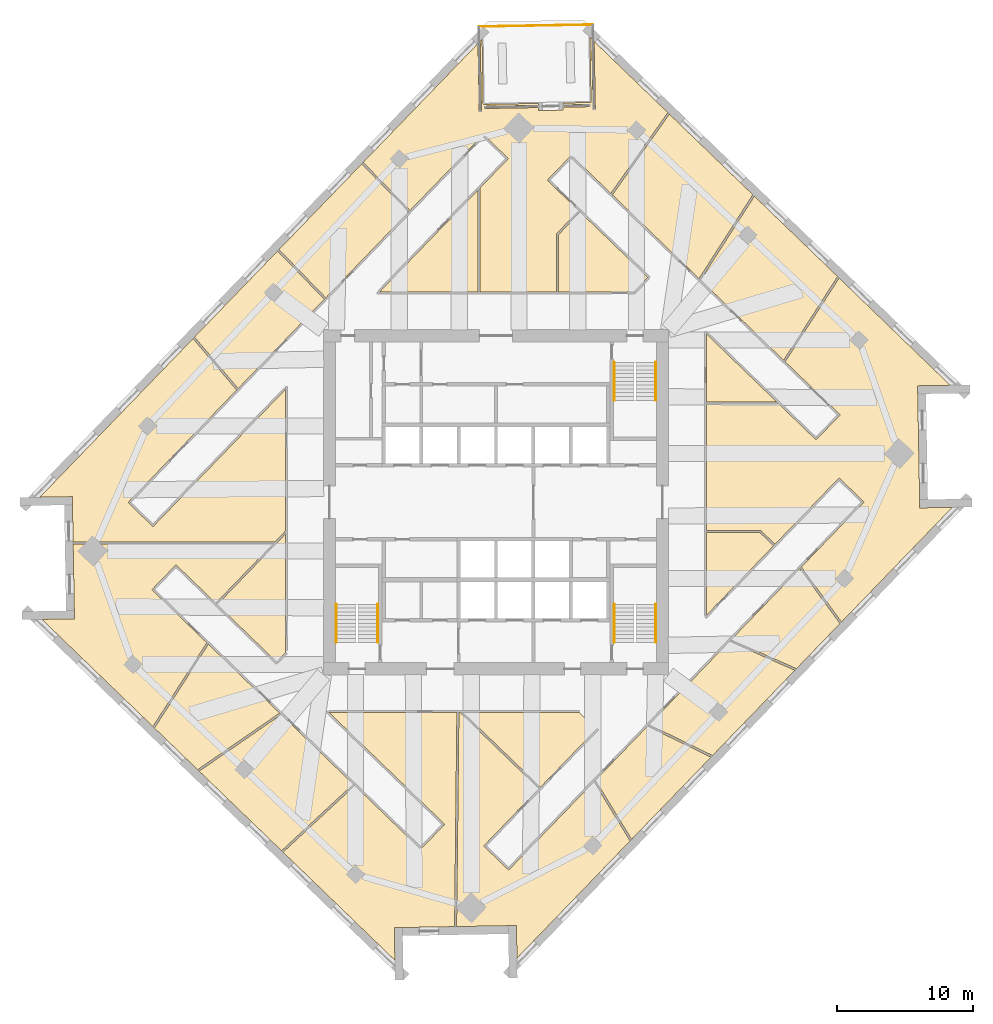
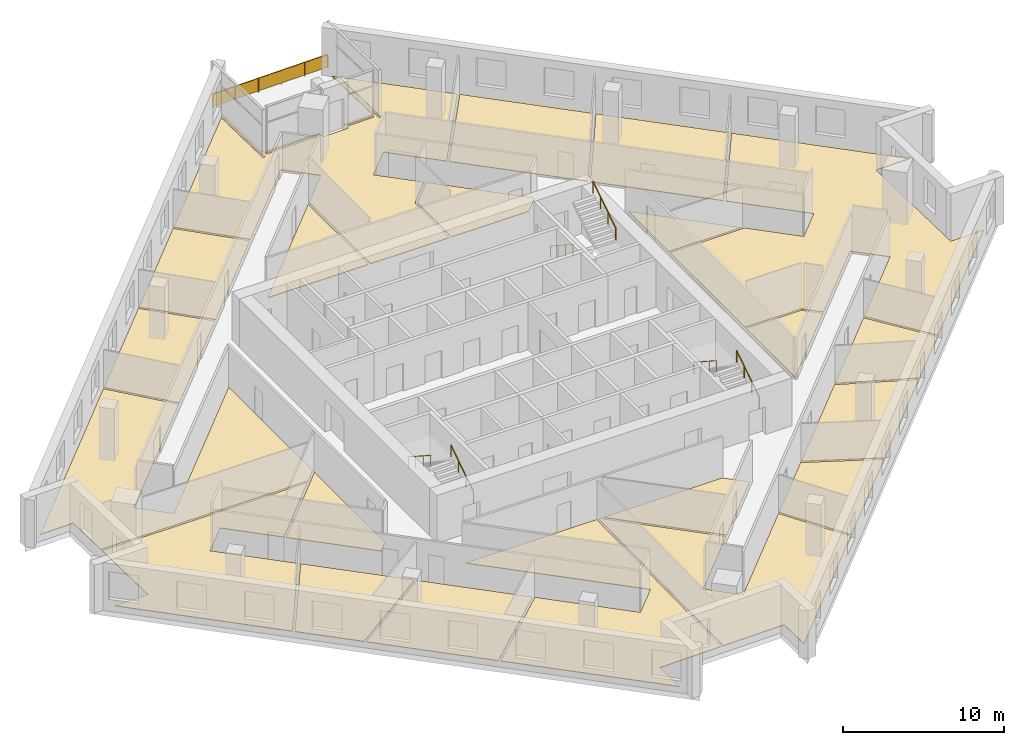
# One storey, part 12 of 13: 21 coverings, 7 railings.
"""IFC4 building model written with IfcOpenShell, lengths in metres."""

import ifcopenshell
import ifcopenshell.guid

model = None  # the IFC model being written
_history = None  # IfcOwnerHistory: only IFC2X3 demands one
_inside = {}  # id of a spatial element -> (the spatial element, [elements in it])
_under = {}  # id of a project, library or spatial element -> (it, [spatial elements below it])
_declared = {}  # id of a project -> (the project, [libraries it declares])
_typed = {}  # id of a type object -> (the type object, [elements of that type])
_made_of = {}  # id of a material, layer set ... -> (it, [elements and type objects made of it])


def new_model(schema):
    """Start an empty IFC model of exactly this schema.

    Asked for "IFC4X3", IfcOpenShell would pick the latest addendum, in which some entities
    have other attributes; the version numbers below select the first issue.
    IFC2X3 requires an IfcOwnerHistory on every rooted entity: one is made here for all.
    """
    global model, _history
    if schema == "IFC4X3":
        model = ifcopenshell.file(schema_version=(4, 3, 0, 0))
    else:
        model = ifcopenshell.file(schema=schema)
    _inside.clear()
    _under.clear()
    _declared.clear()
    _typed.clear()
    _made_of.clear()
    _history = None
    if model.schema == "IFC2X3":
        org = make("IfcOrganization", Name="unknown")
        user = make(
            "IfcPersonAndOrganization",
            ThePerson=make("IfcPerson", FamilyName="unknown"),
            TheOrganization=org,
        )
        app = make(
            "IfcApplication",
            ApplicationDeveloper=org,
            Version="unknown",
            ApplicationFullName="unknown",
            ApplicationIdentifier="unknown",
        )
        _history = make(
            "IfcOwnerHistory",
            OwningUser=user,
            OwningApplication=app,
            ChangeAction="ADDED",
            CreationDate=0,
        )
    return model


def make(cls, **values):
    """One entity of the class cls with the attributes given. An attribute that is None is left unset."""
    return model.create_entity(
        cls, **{name: value for name, value in values.items() if value is not None}
    )


def rooted(cls, **values):
    """An entity with a GlobalId (a new one), such as an element, a storey or a relation."""
    return make(cls, GlobalId=ifcopenshell.guid.new(), OwnerHistory=_history, **values)


def si_unit(unit_type, name, prefix=None):
    """IfcSIUnit, for example si_unit("LENGTHUNIT", "METRE", prefix="MILLI")."""
    return make("IfcSIUnit", UnitType=unit_type, Prefix=prefix, Name=name)


def assignment(units):
    """IfcUnitAssignment: the units of a project."""
    return None if units is None else make("IfcUnitAssignment", Units=units)


def point(xyz):
    """IfcCartesianPoint."""
    return None if xyz is None else make("IfcCartesianPoint", Coordinates=xyz)


def direction(xyz):
    """IfcDirection."""
    return None if xyz is None else make("IfcDirection", DirectionRatios=xyz)


def frame(location, z_axis=None, x_axis=None):
    """IfcAxis2Placement3D, a coordinate frame: its origin and axes. An axis left out is left unset."""
    return make(
        "IfcAxis2Placement3D",
        Location=point(location),
        Axis=direction(z_axis),
        RefDirection=direction(x_axis),
    )


def frame_2d(location, x_axis=None):
    """IfcAxis2Placement2D, a coordinate frame in the plane: its origin and x axis."""
    return make(
        "IfcAxis2Placement2D", Location=point(location), RefDirection=direction(x_axis)
    )


def origin():
    """The frame at (0, 0, 0) with its axes left unset."""
    return frame((0.0, 0.0, 0.0))


def origin_2d():
    """The frame at (0, 0) in the plane with its x axis left unset."""
    return frame_2d((0.0, 0.0))


def place(relative_to, where):
    """IfcLocalPlacement: puts the frame where relative to a parent placement (None: the world)."""
    return make(
        "IfcLocalPlacement", PlacementRelTo=relative_to, RelativePlacement=where
    )


def context(
    kind, dimensions, precision=None, world=None, true_north=None, identifier=None
):
    """IfcGeometricRepresentationContext, for example the 3D "Model" context."""
    return make(
        "IfcGeometricRepresentationContext",
        ContextIdentifier=identifier,
        ContextType=kind,
        CoordinateSpaceDimension=dimensions,
        Precision=precision,
        WorldCoordinateSystem=world,
        TrueNorth=true_north,
    )


def subcontext(parent, identifier, kind, view, scale=None):
    """IfcGeometricRepresentationSubContext, for example "Body" below "Model"."""
    return make(
        "IfcGeometricRepresentationSubContext",
        ContextIdentifier=identifier,
        ContextType=kind,
        ParentContext=parent,
        TargetScale=scale,
        TargetView=view,
    )


def project(units=None, contexts=None):
    """IfcProject with its units and contexts."""
    return rooted(
        "IfcProject",
        Name="project",
        RepresentationContexts=contexts,
        UnitsInContext=assignment(units),
    )


def spatial(cls, under=None, at=None, **own):
    """A site, building, storey or space (cls), placed at a placement, below another one or the project."""
    s = rooted(cls, ObjectPlacement=at, **own)
    if under is not None:
        _under.setdefault(under.id(), (under, []))[1].append(s)
    return s


def polyline(points):
    """IfcPolyline through the points."""
    return make("IfcPolyline", Points=[point(p) for p in points])


def profile(cls, at=None, kind="AREA", **sizes):
    """A parametric profile (cls). Its sizes go by their IFC names, for example OverallWidth=200.0."""
    return make(cls, ProfileType=kind, Position=at, **sizes)


def rectangle(**sizes):
    """IfcRectangleProfileDef."""
    return profile("IfcRectangleProfileDef", **sizes)


def circle(**sizes):
    """IfcCircleProfileDef."""
    return profile("IfcCircleProfileDef", **sizes)


def outline(outer, holes=None, kind="AREA"):
    """IfcArbitraryClosedProfileDef: a profile drawn as a closed curve; with holes, ...WithVoids."""
    if holes is None:
        return make("IfcArbitraryClosedProfileDef", ProfileType=kind, OuterCurve=outer)
    return make(
        "IfcArbitraryProfileDefWithVoids",
        ProfileType=kind,
        OuterCurve=outer,
        InnerCurves=holes,
    )


def extrude(swept, where, along, depth):
    """IfcExtrudedAreaSolid: the profile swept, set in the frame where, extruded along a direction by depth."""
    return make(
        "IfcExtrudedAreaSolid",
        SweptArea=swept,
        Position=where,
        ExtrudedDirection=direction(along),
        Depth=depth,
    )


def shape(context_of_items, identifier, shape_type, items):
    """IfcShapeRepresentation: the items that make up one representation, for example the "Body"."""
    return make(
        "IfcShapeRepresentation",
        ContextOfItems=context_of_items,
        RepresentationIdentifier=identifier,
        RepresentationType=shape_type,
        Items=items,
    )


def material(Name=None, Category=None):
    """IfcMaterial."""
    return make("IfcMaterial", Name=Name, Category=Category)


def layer(
    of_material, thickness, ventilated=None, Name=None, Category=None, Priority=None
):
    """IfcMaterialLayer: one layer of a wall or slab, of a material (None: an air gap)."""
    return make(
        "IfcMaterialLayer",
        Material=of_material,
        LayerThickness=thickness,
        IsVentilated=ventilated,
        Name=Name,
        Category=Category,
        Priority=Priority,
    )


def layer_set(layers, Name=None):
    """IfcMaterialLayerSet."""
    return make("IfcMaterialLayerSet", MaterialLayers=layers, LayerSetName=Name)


def made_of(thing, what):
    """Note that an element or type object is made of a material, layer set ...; save() writes the relation."""
    if what is not None:
        _made_of.setdefault(what.id(), (what, []))[1].append(thing)
    return thing


def type_object(cls, material=None, **own):
    """A type object (cls), such as IfcWallType, which elements share."""
    return made_of(rooted(cls, **own), material)


def element(
    cls,
    number,
    at=None,
    inside=None,
    cuts=None,
    type_object=None,
    material=None,
    context=None,
    identifier="Body",
    shape_type=None,
    held_by="IfcProductDefinitionShape",
    body=None,
    shapes=None,
    **own,
):
    """One element of the class cls, such as IfcWall. Its Tag is "e" and its number.

    at: its placement. inside: the storey or other place that contains it. cuts: it is an
    opening in that element (IfcRelVoidsElement). A single representation is given by context,
    identifier, shape_type and body (its items); several are given by shapes. held_by: the class
    of the entity that holds the representations. save() writes the other relations.
    """
    e = rooted(cls, Tag="e%d" % number, ObjectPlacement=at, **own)
    if body is not None:
        shapes = [shape(context, identifier, shape_type, body)]
    if shapes is not None:
        e.Representation = make(held_by, Representations=shapes)
    if inside is not None:
        _inside.setdefault(inside.id(), (inside, []))[1].append(e)
    if cuts is not None:
        rooted(
            "IfcRelVoidsElement", RelatingBuildingElement=cuts, RelatedOpeningElement=e
        )
    if type_object is not None:
        _typed.setdefault(type_object.id(), (type_object, []))[1].append(e)
    return made_of(e, material)


def aggregate(whole, parts):
    """IfcRelAggregates: a whole, such as a stair, and the parts it consists of."""
    return rooted("IfcRelAggregates", RelatingObject=whole, RelatedObjects=parts)


def save(model, path):
    """Write the relations noted so far, then the file.

    IfcRelAggregates (storeys below a building ...), IfcRelContainedInSpatialStructure (elements
    in a storey), IfcRelDefinesByType, IfcRelAssociatesMaterial and IfcRelDeclares: one each for
    every whole, place, type object, material and project.
    """
    for whole, parts in _under.values():
        aggregate(whole, parts)
    for where, things in _inside.values():
        rooted(
            "IfcRelContainedInSpatialStructure",
            RelatedElements=things,
            RelatingStructure=where,
        )
    for kind, things in _typed.values():
        rooted("IfcRelDefinesByType", RelatedObjects=things, RelatingType=kind)
    for what, things in _made_of.values():
        rooted("IfcRelAssociatesMaterial", RelatedObjects=things, RelatingMaterial=what)
    for by, libraries in _declared.values():
        rooted("IfcRelDeclares", RelatingContext=by, RelatedDefinitions=libraries)
    model.write(path)


model = new_model("IFC4")

# Units and contexts
model_context = context("Model", 3, precision=1e-05, world=origin(), true_north=direction((0.0, 1.0)))
body_context = subcontext(model_context, "Body", "Model", "MODEL_VIEW")
ifc_project = project(units=[si_unit("LENGTHUNIT", "METRE"), si_unit("AREAUNIT", "SQUARE_METRE"), si_unit("VOLUMEUNIT", "CUBIC_METRE"), si_unit("PLANEANGLEUNIT", "RADIAN"), si_unit("MASSUNIT", "GRAM", prefix="KILO")], contexts=[model_context])

# Site, building, storey
site_placement = place(None, origin())
site = spatial("IfcSite", under=ifc_project, at=site_placement, CompositionType="ELEMENT")
building_placement = place(site_placement, origin())
building = spatial("IfcBuilding", under=site, at=building_placement, Name="Dilmun Exchange Tower", CompositionType="ELEMENT")
storey_placement = place(building_placement, frame((0.0, 0.0, 205.300048828125)))
storey = spatial("IfcBuildingStorey", under=building, at=storey_placement, Name="L48", CompositionType="ELEMENT", Elevation=205.300048828125)

# Coverings
ifc_material_1 = material(Name="Carpet floor finish 50")
ifc_layer_1 = layer(ifc_material_1, 0.050048828125)
ifc_layer_set_1 = layer_set([ifc_layer_1], Name="Carpet floor finish 50")
covering_type_1 = type_object("IfcCoveringType", Name="Carpet floor finish 50", PredefinedType="FLOORING", material=ifc_layer_set_1)
covering_1_placement = place(storey_placement, origin())
element("IfcCovering", 1, at=covering_1_placement, inside=storey, type_object=covering_type_1, Name="Carpet floor finish 50 Members library", PredefinedType="FLOORING", context=body_context, shape_type="SweptSolid", body=[
    extrude(outline(polyline([(-23.539794921875, -4.594482421875), (-25.311279296875, -6.428955078125), (-21.268310546875, -10.333251953125), (-25.23681640625, -16.497314453125), (-33.4033203125, -8.61083984375), (-31.010498046875, -8.569091796875), (-31.01025390625, -8.569091796875), (-31.010009765625, -8.569091796875), (-31.010009765625, -8.569091796875), (-31.009765625, -8.569091796875), (-31.009521484375, -8.56884765625), (-31.009521484375, -8.56884765625), (-31.00927734375, -8.568603515625), (-31.009033203125, -8.568603515625), (-31.009033203125, -8.568359375), (-31.0087890625, -8.568115234375), (-31.0087890625, -8.568115234375), (-31.0087890625, -8.56787109375), (-31.008544921875, -8.567626953125), (-31.008544921875, -8.5673828125), (-31.008544921875, -8.5673828125), (-31.008544921875, -8.567138671875), (-31.01904296875, -7.96728515625), (-31.01904296875, -7.967041015625), (-31.01904296875, -7.967041015625), (-31.1044921875, -3.06982421875), (-16.412353515625, -3.06982421875), (-20.61376953125, -7.42041015625), (-23.539794921875, -4.594482421875)])), origin(), (0.0, 0.0, 1.0), 0.050048828125),
])
covering_2_placement = place(storey_placement, origin())
element("IfcCovering", 2, at=covering_2_placement, inside=storey, type_object=covering_type_1, Name="Carpet floor finish 50 Club dining room", PredefinedType="FLOORING", context=body_context, shape_type="SweptSolid", body=[
    extrude(outline(polyline([(-16.267333984375, -2.919921875), (-31.107177734375, -2.919921875), (-31.15478515625, -0.190185546875), (-31.15478515625, -0.18994140625), (-31.15478515625, -0.18994140625), (-31.165283203125, 0.40966796875), (-31.165283203125, 0.409912109375), (-31.165283203125, 0.41015625), (-31.165283203125, 0.410400390625), (-31.165283203125, 0.410400390625), (-31.16552734375, 0.41064453125), (-31.16552734375, 0.410888671875), (-31.165771484375, 0.410888671875), (-31.165771484375, 0.4111328125), (-31.166015625, 0.4111328125), (-31.166259765625, 0.411376953125), (-31.166259765625, 0.411376953125), (-31.16650390625, 0.41162109375), (-31.166748046875, 0.41162109375), (-31.1669921875, 0.41162109375), (-31.1669921875, 0.41162109375), (-31.167236328125, 0.41162109375), (-33.559814453125, 0.369873046875), (-22.28515625, 12.04541015625), (-19.07421875, 8.2578125), (-27.06640625, -0.01806640625), (-25.23193359375, -1.78955078125), (-15.47509765625, 8.314208984375), (-15.47509765625, -2.09912109375), (-16.267333984375, -2.919921875)])), origin(), (0.0, 0.0, 1.0), 0.050048828125),
])
covering_3_placement = place(storey_placement, origin())
element("IfcCovering", 3, at=covering_3_placement, inside=storey, type_object=covering_type_1, Name="Carpet floor finish 50 Meeting room 1", PredefinedType="FLOORING", context=body_context, shape_type="SweptSolid", body=[
    extrude(outline(polyline([(-21.158203125, -10.439453125), (-15.913818359375, -15.50390625), (-21.94970703125, -19.67138671875), (-25.126708984375, -16.603515625), (-21.158203125, -10.439453125)])), origin(), (0.0, 0.0, 1.0), 0.050048828125),
])
covering_4_placement = place(storey_placement, origin())
element("IfcCovering", 4, at=covering_4_placement, inside=storey, type_object=covering_type_1, Name="Carpet floor finish 50 Meeting room 2", PredefinedType="FLOORING", context=body_context, shape_type="SweptSolid", body=[
    extrude(outline(polyline([(-12.62939453125, 14.931884765625), (-18.969482421875, 8.3662109375), (-22.180419921875, 12.15380859375), (-16.069091796875, 18.482421875), (-12.62939453125, 14.931884765625)])), origin(), (0.0, 0.0, 1.0), 0.050048828125),
])
covering_5_placement = place(storey_placement, origin())
element("IfcCovering", 5, at=covering_5_placement, inside=storey, type_object=covering_type_1, Name="Carpet floor finish 50 Business centre 1", PredefinedType="FLOORING", context=body_context, shape_type="SweptSolid", body=[
    extrude(outline(polyline([(-10.498291015625, -20.733642578125), (-15.776611328125, -25.6328125), (-21.839599609375, -19.77783203125), (-15.803955078125, -15.610107421875), (-10.498291015625, -20.733642578125)])), origin(), (0.0, 0.0, 1.0), 0.050048828125),
])
covering_6_placement = place(storey_placement, origin())
element("IfcCovering", 6, at=covering_6_placement, inside=storey, type_object=covering_type_1, Name="Carpet floor finish 50 Serviced office 1", PredefinedType="FLOORING", context=body_context, shape_type="SweptSolid", body=[
    extrude(outline(polyline([(-6.427490234375, 21.35400390625), (-12.525146484375, 15.039794921875), (-15.964599609375, 18.59033203125), (-9.87890625, 24.892578125), (-6.427490234375, 21.35400390625)])), origin(), (0.0, 0.0, 1.0), 0.050048828125),
])
covering_7_placement = place(storey_placement, origin())
element("IfcCovering", 7, at=covering_7_placement, inside=storey, type_object=covering_type_1, Name="Carpet floor finish 50 Members lounge", PredefinedType="FLOORING", context=body_context, shape_type="SweptSolid", body=[
    extrude(outline(polyline([(-10.39013671875, -20.837890625), (-5.54150390625, -25.520263671875), (-3.770263671875, -23.68603515625), (-12.27294921875, -15.47509765625), (-2.879638671875, -15.47509765625), (-3.04931640625, -31.211181640625), (-6.8798828125, -31.278076171875), (-6.8798828125, -31.2783203125), (-6.8798828125, -31.2783203125), (-7.479736328125, -31.28857421875), (-7.47998046875, -31.28857421875), (-7.47998046875, -31.288818359375), (-7.480224609375, -31.288818359375), (-7.48046875, -31.288818359375), (-7.480712890625, -31.288818359375), (-7.480712890625, -31.2890625), (-7.48095703125, -31.2890625), (-7.481201171875, -31.289306640625), (-7.481201171875, -31.289306640625), (-7.481201171875, -31.28955078125), (-7.4814453125, -31.289794921875), (-7.4814453125, -31.289794921875), (-7.481689453125, -31.2900390625), (-7.481689453125, -31.290283203125), (-7.481689453125, -31.29052734375), (-7.481689453125, -31.290771484375), (-7.43994140625, -33.683349609375), (-15.66845703125, -25.737060546875), (-10.39013671875, -20.837890625)])), origin(), (0.0, 0.0, 1.0), 0.050048828125),
])
covering_8_placement = place(storey_placement, origin())
element("IfcCovering", 8, at=covering_8_placement, inside=storey, type_object=covering_type_1, Name="Carpet floor finish 50 Garden lounge", PredefinedType="FLOORING", context=body_context, shape_type="SweptSolid", body=[
    extrude(outline(polyline([(0.90771484375, 25.279052734375), (-0.926513671875, 27.05029296875), (-6.3232421875, 21.4619140625), (-9.774658203125, 25.00048828125), (-1.32470703125, 33.75048828125), (-1.2373046875, 28.73828125), (-1.2373046875, 28.738037109375), (-1.2373046875, 28.73779296875), (-1.2373046875, 28.737548828125), (-1.237060546875, 28.7373046875), (-1.237060546875, 28.7373046875), (-1.23681640625, 28.737060546875), (-1.23681640625, 28.73681640625), (-1.23681640625, 28.73681640625), (-1.236572265625, 28.736572265625), (-1.236328125, 28.736572265625), (-1.236083984375, 28.736328125), (-1.236083984375, 28.736328125), (-1.23583984375, 28.736328125), (-1.235595703125, 28.736083984375), (-1.2353515625, 28.736083984375), (-1.2353515625, 28.736083984375), (-1.0751953125, 28.739013671875), (-1.0751953125, 28.739013671875), (-1.074951171875, 28.739013671875), (-1.07470703125, 28.739013671875), (-1.074462890625, 28.7392578125), (-1.07421875, 28.7392578125), (-1.07421875, 28.739501953125), (-1.073974609375, 28.739501953125), (-1.073974609375, 28.739501953125), (-1.07373046875, 28.73974609375), (-1.073486328125, 28.739990234375), (-1.073486328125, 28.739990234375), (-1.073486328125, 28.740234375), (-1.073486328125, 28.740478515625), (-1.0732421875, 28.740478515625), (-1.0732421875, 28.74072265625), (-1.0732421875, 28.740966796875), (-1.163818359375, 33.91748046875), (-1.023193359375, 34.062744140625), (-0.939453125, 29.268310546875), (3.1220703125, 29.33935546875), (3.12451171875, 29.1962890625), (-0.862060546875, 29.126708984375), (-0.8623046875, 29.126708984375), (-0.8623046875, 29.126708984375), (-0.862548828125, 29.126708984375), (-0.86279296875, 29.12646484375), (-0.863037109375, 29.12646484375), (-0.863037109375, 29.126220703125), (-0.86328125, 29.126220703125), (-0.86328125, 29.126220703125), (-0.863525390625, 29.1259765625), (-0.86376953125, 29.125732421875), (-0.86376953125, 29.12548828125), (-0.864013671875, 29.12548828125), (-0.864013671875, 29.125244140625), (-0.864013671875, 29.125), (-0.864013671875, 29.124755859375), (-0.864013671875, 29.124755859375), (-0.861083984375, 28.964599609375), (-0.861083984375, 28.964599609375), (-0.861083984375, 28.96435546875), (-0.861083984375, 28.964111328125), (-0.861083984375, 28.9638671875), (-0.86083984375, 28.963623046875), (-0.86083984375, 28.963623046875), (-0.860595703125, 28.96337890625), (-0.860595703125, 28.96337890625), (-0.8603515625, 28.963134765625), (-0.8603515625, 28.962890625), (-0.860107421875, 28.962890625), (-0.85986328125, 28.962890625), (-0.859619140625, 28.962890625), (-0.859619140625, 28.962646484375), (-0.859375, 28.962646484375), (-0.859130859375, 28.962646484375), (3.127197265625, 29.032470703125), (3.131103515625, 28.814453125), (3.131103515625, 28.814208984375), (3.131103515625, 28.81396484375), (3.131103515625, 28.813720703125), (3.13134765625, 28.813720703125), (3.13134765625, 28.8134765625), (3.131591796875, 28.813232421875), (3.131591796875, 28.813232421875), (3.131591796875, 28.81298828125), (3.1318359375, 28.81298828125), (3.132080078125, 28.812744140625), (3.132080078125, 28.812744140625), (3.13232421875, 28.8125), (3.132568359375, 28.8125), (3.1328125, 28.8125), (3.133056640625, 28.8125), (3.13330078125, 28.8125), (4.932861328125, 28.84375), (4.93310546875, 28.843994140625), (4.933349609375, 28.843994140625), (4.933349609375, 28.843994140625), (4.93359375, 28.843994140625), (4.933837890625, 28.843994140625), (4.93408203125, 28.84423828125), (4.93408203125, 28.84423828125), (4.934326171875, 28.844482421875), (4.934326171875, 28.844482421875), (4.9345703125, 28.8447265625), (4.9345703125, 28.844970703125), (4.934814453125, 28.84521484375), (4.934814453125, 28.84521484375), (4.934814453125, 28.845458984375), (4.934814453125, 28.845703125), (4.934814453125, 28.845947265625), (4.930908203125, 29.063720703125), (6.917724609375, 29.098388671875), (6.91796875, 29.098388671875), (6.918212890625, 29.0986328125), (6.91845703125, 29.0986328125), (6.918701171875, 29.0986328125), (6.918701171875, 29.098876953125), (6.9189453125, 29.098876953125), (6.919189453125, 29.09912109375), (6.919189453125, 29.09912109375), (6.91943359375, 29.099365234375), (6.91943359375, 29.099365234375), (6.919677734375, 29.099609375), (6.919677734375, 29.099853515625), (6.919677734375, 29.10009765625), (6.919921875, 29.10009765625), (6.919921875, 29.100341796875), (6.919921875, 29.1005859375), (6.9169921875, 29.260498046875), (6.9169921875, 29.2607421875), (6.9169921875, 29.260986328125), (6.9169921875, 29.260986328125), (6.916748046875, 29.26123046875), (6.916748046875, 29.261474609375), (6.91650390625, 29.26171875), (6.91650390625, 29.26171875), (6.91650390625, 29.261962890625), (6.916259765625, 29.26220703125), (6.916015625, 29.26220703125), (6.916015625, 29.26220703125), (6.915771484375, 29.26220703125), (6.91552734375, 29.262451171875), (6.915283203125, 29.262451171875), (6.915283203125, 29.262451171875), (6.9150390625, 29.262451171875), (4.92822265625, 29.227783203125), (4.92578125, 29.370849609375), (6.987548828125, 29.40673828125), (6.90380859375, 34.201171875), (7.04931640625, 34.060546875), (7.1396484375, 28.884521484375), (7.1396484375, 28.88427734375), (7.1396484375, 28.884033203125), (7.1396484375, 28.8837890625), (7.139892578125, 28.883544921875), (7.139892578125, 28.88330078125), (7.139892578125, 28.88330078125), (7.14013671875, 28.883056640625), (7.14013671875, 28.883056640625), (7.140380859375, 28.8828125), (7.140380859375, 28.8828125), (7.140625, 28.882568359375), (7.140869140625, 28.882568359375), (7.14111328125, 28.882568359375), (7.141357421875, 28.88232421875), (7.1416015625, 28.88232421875), (7.1416015625, 28.88232421875), (7.301513671875, 28.88525390625), (7.3017578125, 28.88525390625), (7.302001953125, 28.88525390625), (7.30224609375, 28.88525390625), (7.302490234375, 28.885498046875), (7.302490234375, 28.885498046875), (7.302734375, 28.885498046875), (7.302978515625, 28.8857421875), (7.302978515625, 28.8857421875), (7.30322265625, 28.885986328125), (7.30322265625, 28.885986328125), (7.303466796875, 28.88623046875), (7.303466796875, 28.886474609375), (7.303466796875, 28.88671875), (7.3037109375, 28.88671875), (7.3037109375, 28.886962890625), (7.3037109375, 28.88720703125), (7.216064453125, 33.8994140625), (12.639892578125, 28.661865234375), (8.444580078125, 22.716796875), (5.54150390625, 25.520263671875), (3.770263671875, 23.68603515625), (6.08740234375, 21.4482421875), (4.459228515625, 19.762451171875), (4.459228515625, 15.47509765625), (-1.1845703125, 15.47509765625), (-1.1845703125, 23.1123046875), (0.90771484375, 25.279052734375)])), origin(), (0.0, 0.0, 1.0), 0.050048828125),
])
covering_9_placement = place(storey_placement, origin())
element("IfcCovering", 9, at=covering_9_placement, inside=storey, type_object=covering_type_1, Name="Carpet floor finish 50 Cafe", PredefinedType="FLOORING", context=body_context, shape_type="SweptSolid", body=[
    extrude(outline(polyline([(7.2001953125, -20.553955078125), (9.8662109375, -24.905517578125), (1.541015625, -33.526611328125), (1.499267578125, -31.1337890625), (1.4990234375, -31.1337890625), (1.4990234375, -31.133544921875), (1.4990234375, -31.13330078125), (1.4990234375, -31.13330078125), (1.498779296875, -31.133056640625), (1.498779296875, -31.1328125), (1.498779296875, -31.1328125), (1.49853515625, -31.132568359375), (1.498291015625, -31.13232421875), (1.498291015625, -31.13232421875), (1.498046875, -31.132080078125), (1.497802734375, -31.132080078125), (1.497802734375, -31.132080078125), (1.49755859375, -31.132080078125), (1.497314453125, -31.132080078125), (1.4970703125, -31.132080078125), (0.897216796875, -31.142333984375), (0.89697265625, -31.142333984375), (0.89697265625, -31.142578125), (-2.8994140625, -31.208740234375), (-2.729736328125, -15.47509765625), (-2.629638671875, -15.47509765625), (3.160400390625, -21.06640625), (-0.90771484375, -25.279052734375), (0.926513671875, -27.05029296875), (7.2001953125, -20.553955078125)])), origin(), (0.0, 0.0, 1.0), 0.050048828125),
])
covering_10_placement = place(storey_placement, origin())
element("IfcCovering", 10, at=covering_10_placement, inside=storey, type_object=covering_type_1, Name="Carpet floor finish 50 Business centre 2", PredefinedType="FLOORING", context=body_context, shape_type="SweptSolid", body=[
    extrude(outline(polyline([(10.147705078125, 15.47509765625), (4.609130859375, 15.47509765625), (4.609130859375, 19.701904296875), (6.1953125, 21.343994140625), (11.17333984375, 16.536865234375), (10.147705078125, 15.47509765625)])), origin(), (0.0, 0.0, 1.0), 0.050048828125),
])
covering_11_placement = place(storey_placement, origin())
element("IfcCovering", 11, at=covering_11_placement, inside=storey, type_object=covering_type_1, Name="Carpet floor finish 50 Serviced office 2", PredefinedType="FLOORING", context=body_context, shape_type="SweptSolid", body=[
    extrude(outline(polyline([(15.81591796875, -18.74462890625), (9.973876953125, -24.794189453125), (7.307861328125, -20.4423828125), (11.14599609375, -16.4677734375), (15.81591796875, -18.74462890625)])), origin(), (0.0, 0.0, 1.0), 0.050048828125),
])
covering_12_placement = place(storey_placement, origin())
element("IfcCovering", 12, at=covering_12_placement, inside=storey, type_object=covering_type_1, Name="Carpet floor finish 50 Serviced office 3", PredefinedType="FLOORING", context=body_context, shape_type="SweptSolid", body=[
    extrude(outline(polyline([(14.931396484375, 16.45263671875), (8.5537109375, 22.611328125), (12.7490234375, 28.556396484375), (18.89306640625, 22.623291015625), (14.931396484375, 16.45263671875)])), origin(), (0.0, 0.0, 1.0), 0.050048828125),
])
covering_13_placement = place(storey_placement, origin())
element("IfcCovering", 13, at=covering_13_placement, inside=storey, type_object=covering_type_1, Name="Carpet floor finish 50 Serviced office 4", PredefinedType="FLOORING", context=body_context, shape_type="SweptSolid", body=[
    extrude(outline(polyline([(11.255615234375, -16.354248046875), (17.171630859375, -10.22802734375), (21.986572265625, -12.3544921875), (15.92529296875, -18.631103515625), (11.255615234375, -16.354248046875)])), origin(), (0.0, 0.0, 1.0), 0.050048828125),
])
covering_14_placement = place(storey_placement, origin())
element("IfcCovering", 14, at=covering_14_placement, inside=storey, type_object=covering_type_1, Name="Carpet floor finish 50 Business centre 3", PredefinedType="FLOORING", context=body_context, shape_type="SweptSolid", body=[
    extrude(outline(polyline([(15.47509765625, -2.2373046875), (19.42333984375, -2.2373046875), (20.416748046875, -3.19677734375), (15.47509765625, -8.314208984375), (15.47509765625, -2.2373046875)])), origin(), (0.0, 0.0, 1.0), 0.050048828125),
])
covering_15_placement = place(storey_placement, origin())
element("IfcCovering", 15, at=covering_15_placement, inside=storey, type_object=covering_type_1, Name="Carpet floor finish 50 Business centre 4", PredefinedType="FLOORING", context=body_context, shape_type="SweptSolid", body=[
    extrude(outline(polyline([(17.28271484375, -10.113037109375), (22.345703125, -4.870361328125), (25.30419921875, -8.9189453125), (22.097412109375, -12.239501953125), (17.28271484375, -10.113037109375)])), origin(), (0.0, 0.0, 1.0), 0.050048828125),
])
covering_16_placement = place(storey_placement, origin())
element("IfcCovering", 16, at=covering_16_placement, inside=storey, type_object=covering_type_1, Name="Carpet floor finish 50 Co-working hall", PredefinedType="FLOORING", context=body_context, shape_type="SweptSolid", body=[
    extrude(outline(polyline([(23.539794921875, 4.594482421875), (25.311279296875, 6.428955078125), (21.2626953125, 10.338623046875), (25.236328125, 16.497802734375), (33.4033203125, 8.61083984375), (31.010498046875, 8.569091796875), (31.01025390625, 8.569091796875), (31.010009765625, 8.569091796875), (31.010009765625, 8.569091796875), (31.009765625, 8.569091796875), (31.009521484375, 8.56884765625), (31.009521484375, 8.56884765625), (31.00927734375, 8.568603515625), (31.009033203125, 8.568603515625), (31.009033203125, 8.568359375), (31.0087890625, 8.568115234375), (31.0087890625, 8.568115234375), (31.0087890625, 8.56787109375), (31.008544921875, 8.567626953125), (31.008544921875, 8.5673828125), (31.008544921875, 8.5673828125), (31.008544921875, 8.567138671875), (31.01904296875, 7.96728515625), (31.01904296875, 7.967041015625), (31.01904296875, 7.967041015625), (31.15478515625, 0.190185546875), (31.15478515625, 0.18994140625), (31.15478515625, 0.18994140625), (31.165283203125, -0.40966796875), (31.165283203125, -0.409912109375), (31.165283203125, -0.41015625), (31.165283203125, -0.410400390625), (31.165283203125, -0.410400390625), (31.16552734375, -0.41064453125), (31.16552734375, -0.410888671875), (31.165771484375, -0.410888671875), (31.165771484375, -0.4111328125), (31.166015625, -0.4111328125), (31.166259765625, -0.411376953125), (31.166259765625, -0.411376953125), (31.16650390625, -0.41162109375), (31.166748046875, -0.41162109375), (31.1669921875, -0.41162109375), (31.1669921875, -0.41162109375), (31.167236328125, -0.41162109375), (33.559814453125, -0.369873046875), (25.409912109375, -8.809326171875), (22.451416015625, -4.7607421875), (27.06640625, 0.01806640625), (25.23193359375, 1.78955078125), (20.52099609375, -3.0888671875), (19.48388671875, -2.087158203125), (15.47509765625, -2.087158203125), (15.47509765625, 7.21826171875), (20.822998046875, 7.21826171875), (23.539794921875, 4.594482421875)])), origin(), (0.0, 0.0, 1.0), 0.050048828125),
])

# Railings
ifc_material_2 = material(Name="Stainless steel", Category="steel")
railing_type_1 = type_object("IfcRailingType", Name="Stair handrail 900", PredefinedType="HANDRAIL", material=ifc_material_2)
railing_1_placement = place(storey_placement, frame((8.699951171875, 10.300048828125, 0.181884765625)))
element("IfcRailing", 17, at=railing_1_placement, inside=storey, type_object=railing_type_1, Name="L48 ST1 stair handrail 1", PredefinedType="HANDRAIL", context=body_context, shape_type="SweptSolid", body=[
    extrude(circle(Radius=0.02392578125, at=origin_2d()), frame((0.0, 0.0, 0.8759765625), z_axis=(0.0, -0.838705829183, 0.544584733623), x_axis=(1.0, 0.0, 0.0)), (0.0, 0.0, 1.0), 3.338623046875),
    extrude(circle(Radius=0.02099609375, at=origin_2d()), origin(), (0.0, 0.0, 1.0), 0.851806640625),
    extrude(circle(Radius=0.02099609375, at=origin_2d()), frame((0.0, -0.933349609375, 0.60595703125)), (0.0, 0.0, 1.0), 0.851806640625),
    extrude(circle(Radius=0.02099609375, at=origin_2d()), frame((0.0, -1.86669921875, 1.212158203125)), (0.0, 0.0, 1.0), 0.851806640625),
    extrude(circle(Radius=0.02099609375, at=origin_2d()), frame((0.0, -2.800048828125, 1.818115234375)), (0.0, 0.0, 1.0), 0.851806640625),
])
for number, where, name in (
    (18, (11.75, 7.5, 2.181884765625), "L48 ST1 stair handrail 2"),
    (19, (-8.699951171875, -10.300048828125, 0.181884765625), "L48 ST2 stair handrail 1"),
):
    element("IfcRailing", number, at=place(storey_placement, frame(where)), inside=storey, type_object=railing_type_1, Name=name, PredefinedType="HANDRAIL", context=body_context, shape_type="SweptSolid", body=[
        extrude(circle(Radius=0.02392578125, at=origin_2d()), frame((0.0, 0.0, 0.8759765625), z_axis=(0.0, 0.838705829183, 0.544584733623), x_axis=(-1.0, 0.0, 0.0)), (0.0, 0.0, 1.0), 3.338623046875),
        extrude(circle(Radius=0.02099609375, at=origin_2d()), origin(), (0.0, 0.0, 1.0), 0.851806640625),
        extrude(circle(Radius=0.02099609375, at=origin_2d()), frame((0.0, 0.933349609375, 0.60595703125)), (0.0, 0.0, 1.0), 0.851806640625),
        extrude(circle(Radius=0.02099609375, at=origin_2d()), frame((0.0, 1.86669921875, 1.212158203125)), (0.0, 0.0, 1.0), 0.851806640625),
        extrude(circle(Radius=0.02099609375, at=origin_2d()), frame((0.0, 2.800048828125, 1.818115234375)), (0.0, 0.0, 1.0), 0.851806640625),
    ])
railing_2_placement = place(storey_placement, frame((-11.75, -7.5, 2.181884765625)))
element("IfcRailing", 20, at=railing_2_placement, inside=storey, type_object=railing_type_1, Name="L48 ST2 stair handrail 2", PredefinedType="HANDRAIL", context=body_context, shape_type="SweptSolid", body=[
    extrude(circle(Radius=0.02392578125, at=origin_2d()), frame((0.0, 0.0, 0.8759765625), z_axis=(0.0, -0.838705829183, 0.544584733623), x_axis=(1.0, 0.0, 0.0)), (0.0, 0.0, 1.0), 3.338623046875),
    extrude(circle(Radius=0.02099609375, at=origin_2d()), origin(), (0.0, 0.0, 1.0), 0.851806640625),
    extrude(circle(Radius=0.02099609375, at=origin_2d()), frame((0.0, -0.933349609375, 0.60595703125)), (0.0, 0.0, 1.0), 0.851806640625),
    extrude(circle(Radius=0.02099609375, at=origin_2d()), frame((0.0, -1.86669921875, 1.212158203125)), (0.0, 0.0, 1.0), 0.851806640625),
    extrude(circle(Radius=0.02099609375, at=origin_2d()), frame((0.0, -2.800048828125, 1.818115234375)), (0.0, 0.0, 1.0), 0.851806640625),
])
railing_3_placement = place(storey_placement, frame((11.75, -10.300048828125, 0.181884765625)))
element("IfcRailing", 21, at=railing_3_placement, inside=storey, type_object=railing_type_1, Name="L48 ST3 stair handrail 1", PredefinedType="HANDRAIL", context=body_context, shape_type="SweptSolid", body=[
    extrude(circle(Radius=0.02392578125, at=origin_2d()), frame((0.0, 0.0, 0.8759765625), z_axis=(0.0, 0.838705829183, 0.544584733623), x_axis=(-1.0, 0.0, 0.0)), (0.0, 0.0, 1.0), 3.338623046875),
    extrude(circle(Radius=0.02099609375, at=origin_2d()), origin(), (0.0, 0.0, 1.0), 0.851806640625),
    extrude(circle(Radius=0.02099609375, at=origin_2d()), frame((0.0, 0.933349609375, 0.60595703125)), (0.0, 0.0, 1.0), 0.851806640625),
    extrude(circle(Radius=0.02099609375, at=origin_2d()), frame((0.0, 1.86669921875, 1.212158203125)), (0.0, 0.0, 1.0), 0.851806640625),
    extrude(circle(Radius=0.02099609375, at=origin_2d()), frame((0.0, 2.800048828125, 1.818115234375)), (0.0, 0.0, 1.0), 0.851806640625),
])
railing_4_placement = place(storey_placement, frame((8.699951171875, -7.5, 2.181884765625)))
element("IfcRailing", 22, at=railing_4_placement, inside=storey, type_object=railing_type_1, Name="L48 ST3 stair handrail 2", PredefinedType="HANDRAIL", context=body_context, shape_type="SweptSolid", body=[
    extrude(circle(Radius=0.02392578125, at=origin_2d()), frame((0.0, 0.0, 0.8759765625), z_axis=(0.0, -0.838705829183, 0.544584733623), x_axis=(1.0, 0.0, 0.0)), (0.0, 0.0, 1.0), 3.338623046875),
    extrude(circle(Radius=0.02099609375, at=origin_2d()), origin(), (0.0, 0.0, 1.0), 0.851806640625),
    extrude(circle(Radius=0.02099609375, at=origin_2d()), frame((0.0, -0.933349609375, 0.60595703125)), (0.0, 0.0, 1.0), 0.851806640625),
    extrude(circle(Radius=0.02099609375, at=origin_2d()), frame((0.0, -1.86669921875, 1.212158203125)), (0.0, 0.0, 1.0), 0.851806640625),
    extrude(circle(Radius=0.02099609375, at=origin_2d()), frame((0.0, -2.800048828125, 1.818115234375)), (0.0, 0.0, 1.0), 0.851806640625),
])

# Coverings
ifc_material_3 = material(Name="Stone floor finish 50", Category="masonry")
ifc_layer_2 = layer(ifc_material_3, 0.050048828125)
ifc_layer_set_2 = layer_set([ifc_layer_2], Name="Stone floor finish 50")
covering_type_2 = type_object("IfcCoveringType", Name="Stone floor finish 50", PredefinedType="FLOORING", material=ifc_layer_set_2)
covering_17_placement = place(storey_placement, origin())
element("IfcCovering", 23, at=covering_17_placement, inside=storey, type_object=covering_type_2, Name="Stone floor finish 50 Reception 1", PredefinedType="FLOORING", context=body_context, shape_type="SweptSolid", body=[
    extrude(outline(polyline([(-1.334716796875, 22.95703125), (-1.334716796875, 15.47509765625), (-8.559814453125, 15.47509765625), (-1.334716796875, 22.95703125)])), origin(), (0.0, 0.0, 1.0), 0.050048828125),
])
covering_18_placement = place(storey_placement, origin())
element("IfcCovering", 24, at=covering_18_placement, inside=storey, type_object=covering_type_2, Name="Stone floor finish 50 Reception 2", PredefinedType="FLOORING", context=body_context, shape_type="SweptSolid", body=[
    extrude(outline(polyline([(7.382568359375, -16.694091796875), (3.264404296875, -20.95849609375), (-2.413818359375, -15.47509765625), (6.119873046875, -15.47509765625), (7.382568359375, -16.694091796875)])), origin(), (0.0, 0.0, 1.0), 0.050048828125),
])
covering_19_placement = place(storey_placement, origin())
element("IfcCovering", 25, at=covering_19_placement, inside=storey, type_object=covering_type_2, Name="Stone floor finish 50 Reception 3", PredefinedType="FLOORING", context=body_context, shape_type="SweptSolid", body=[
    extrude(outline(polyline([(20.667724609375, 7.368408203125), (15.47509765625, 7.368408203125), (15.47509765625, 12.3828125), (20.667724609375, 7.368408203125)])), origin(), (0.0, 0.0, 1.0), 0.050048828125),
])
covering_20_placement = place(storey_placement, origin())
element("IfcCovering", 26, at=covering_20_placement, inside=storey, type_object=covering_type_2, Name="Stone floor finish 50 Reception 4", PredefinedType="FLOORING", context=body_context, shape_type="SweptSolid", body=[
    extrude(outline(polyline([(21.152587890625, 10.44482421875), (15.04150390625, 16.346435546875), (19.0029296875, 22.51708984375), (25.126220703125, 16.60400390625), (21.152587890625, 10.44482421875)])), origin(), (0.0, 0.0, 1.0), 0.050048828125),
])

# Railing
railing_type_2 = type_object("IfcRailingType", Name="Terrace guard 1100 stainless steel", PredefinedType="GUARDRAIL", material=ifc_material_2)
railing_5_placement = place(storey_placement, frame((-1.264404296875, 34.985107421875, 0.0)))
element("IfcRailing", 27, at=railing_5_placement, inside=storey, type_object=railing_type_2, Name="Terrace guard 1", PredefinedType="GUARDRAIL", context=body_context, shape_type="SweptSolid", body=[
    extrude(circle(Radius=0.02392578125, at=origin_2d()), frame((0.0, 0.0, 1.076171875), z_axis=(0.999847653553, 0.017454789709, 0.0), x_axis=(-0.017454789709, 0.999847653553, 0.0)), (0.0, 0.0, 1.0), 8.378173828125),
    extrude(rectangle(XDim=0.011962890625, YDim=0.951904296875, at=origin_2d()), frame((0.0, 0.0, 0.576171875), z_axis=(0.999847653553, 0.017454789709, 0.0), x_axis=(-0.017454789709, 0.999847653553, 0.0)), (0.0, 0.0, 1.0), 8.378173828125),
    extrude(circle(Radius=0.02099609375, at=origin_2d()), origin(), (0.0, 0.0, 1.0), 1.052001953125),
    extrude(circle(Radius=0.02099609375, at=origin_2d()), frame((1.67529296875, 0.029296875, 0.0)), (0.0, 0.0, 1.0), 1.052001953125),
    extrude(circle(Radius=0.02099609375, at=origin_2d()), frame((3.350830078125, 0.05859375, 0.0)), (0.0, 0.0, 1.0), 1.052001953125),
    extrude(circle(Radius=0.02099609375, at=origin_2d()), frame((5.026123046875, 0.087646484375, 0.0)), (0.0, 0.0, 1.0), 1.052001953125),
    extrude(circle(Radius=0.02099609375, at=origin_2d()), frame((6.70166015625, 0.116943359375, 0.0)), (0.0, 0.0, 1.0), 1.052001953125),
    extrude(circle(Radius=0.02099609375, at=origin_2d()), frame((8.376953125, 0.146240234375, 0.0)), (0.0, 0.0, 1.0), 1.052001953125),
])

# Covering
ifc_material_4 = material(Name="Tile floor finish 50")
ifc_layer_3 = layer(ifc_material_4, 0.050048828125)
ifc_layer_set_3 = layer_set([ifc_layer_3], Name="Tile floor finish 50")
covering_type_3 = type_object("IfcCoveringType", Name="Tile floor finish 50", PredefinedType="FLOORING", material=ifc_layer_set_3)
covering_21_placement = place(storey_placement, origin())
element("IfcCovering", 28, at=covering_21_placement, inside=storey, type_object=covering_type_3, Name="Tile floor finish 50 Pantry", PredefinedType="FLOORING", context=body_context, shape_type="SweptSolid", body=[
    extrude(outline(polyline([(-16.136962890625, -11.74365234375), (-20.505859375, -7.524658203125), (-15.47509765625, -2.315185546875), (-15.47509765625, -11.05810546875), (-16.136962890625, -11.74365234375)])), origin(), (0.0, 0.0, 1.0), 0.050048828125),
])

save(model, "model.ifc")
